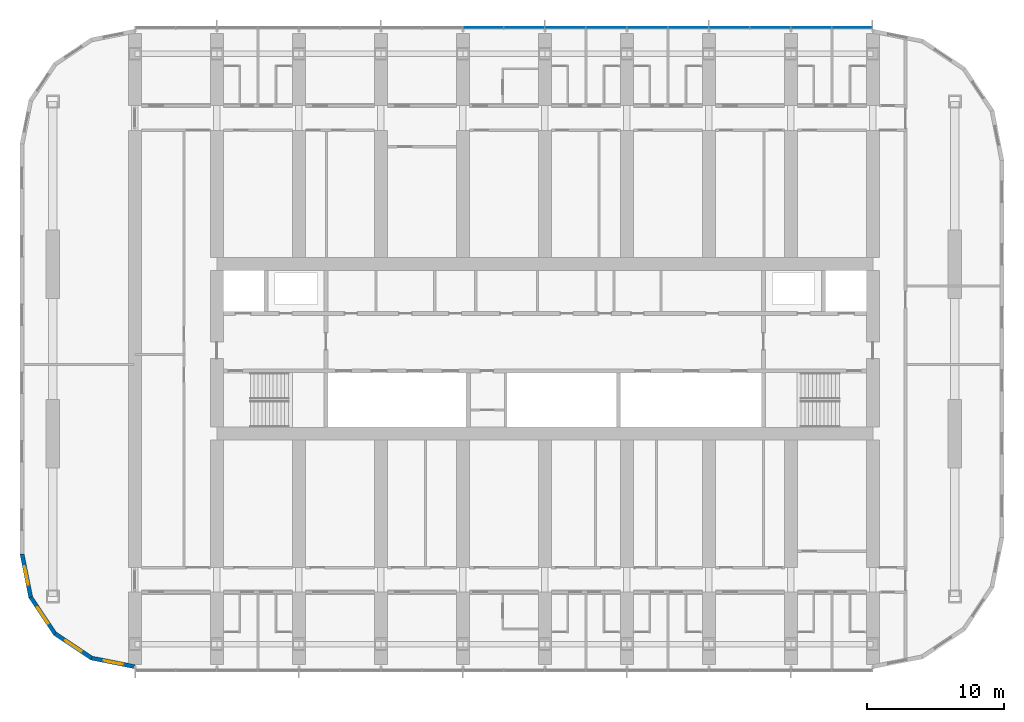
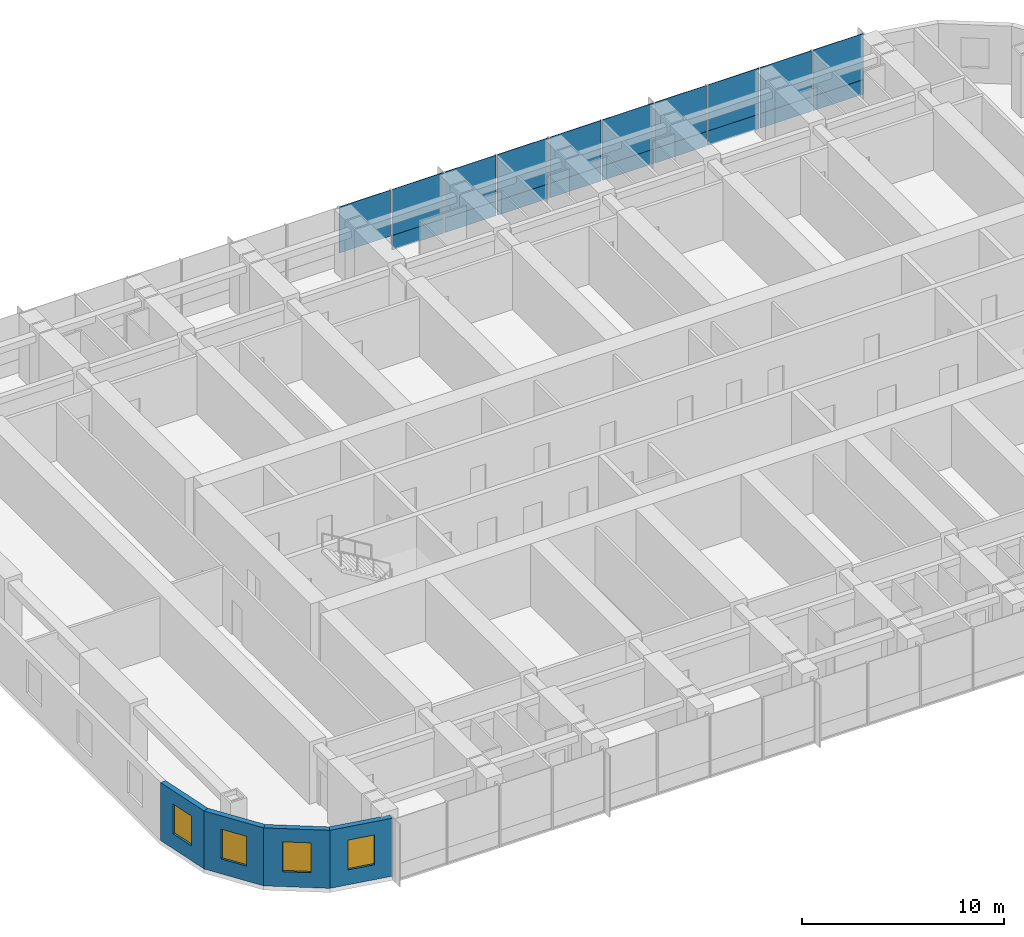
# One storey, part 7 of 21: 19 plates, 4 walls, 4 windows, 4 openings, 1 element without a shape of its own.
"""IFC4 building model written with IfcOpenShell, lengths in metres."""

from ifc_helpers import new_model, si_unit, direction, frame, frame_2d, origin, origin_2d, place, context, subcontext, project, spatial, polyline, rectangle, outline, extrude, material, layer, layer_set, type_object, element, fill, aggregate, save


model = new_model("IFC4")

# Units and contexts
model_context = context("Model", 3, precision=1e-05, world=origin(), true_north=direction((0.0, 1.0)))
body_context = subcontext(model_context, "Body", "Model", "MODEL_VIEW")
ifc_project = project(units=[si_unit("LENGTHUNIT", "METRE"), si_unit("AREAUNIT", "SQUARE_METRE"), si_unit("VOLUMEUNIT", "CUBIC_METRE"), si_unit("PLANEANGLEUNIT", "RADIAN"), si_unit("MASSUNIT", "GRAM", prefix="KILO")], contexts=[model_context])

# Site, building, storey
site_placement = place(None, origin())
site = spatial("IfcSite", under=ifc_project, at=site_placement, CompositionType="ELEMENT")
building_placement = place(site_placement, origin())
building = spatial("IfcBuilding", under=site, at=building_placement, Name="Orbita Commons", CompositionType="ELEMENT")
storey_placement = place(building_placement, frame((0.0, 0.0, 106.89990234375)))
storey = spatial("IfcBuildingStorey", under=building, at=storey_placement, Name="L26", CompositionType="ELEMENT", Elevation=106.89990234375)

# Curtain wall, plates
ifc_material_1 = material(Name="Anodised aluminium frame, pale silver", Category="aluminium")
curtain_wall_type = type_object("IfcCurtainWallType", Name="Unitised curtain wall CW-T, vision and spandrel", PredefinedType="NOTDEFINED", material=ifc_material_1)
curtain_wall_placement = place(storey_placement, origin())
curtain_wall = element("IfcCurtainWall", 1, at=curtain_wall_placement, inside=storey, type_object=curtain_wall_type, Name="Curtain wall north L26", PredefinedType="NOTDEFINED")
ifc_material_2 = material(Name="Anodised aluminium sheet on mineral wool", Category="aluminium")
ifc_layer_1 = layer(ifc_material_2, 0.050048828125)
ifc_layer_set_1 = layer_set([ifc_layer_1], Name="Anodised aluminium sheet on mineral wool")
plate_type_1 = type_object("IfcPlateType", Name="Spandrel panel, pale aluminium over insulation 50", PredefinedType="CURTAIN_PANEL", material=ifc_layer_set_1)
plate_1_placement = place(storey_placement, frame((64.47998046875, 55.510009765625, -0.14990234375), z_axis=(0.0, 0.0, 1.0), x_axis=(-1.0, 0.0, 0.0)))
plate_1 = element("IfcPlate", 2, at=plate_1_placement, type_object=plate_type_1, Name="Panel 1.1 CW-L26-N", PredefinedType="CURTAIN_PANEL", context=body_context, shape_type="SweptSolid", body=[
    extrude(rectangle(XDim=2.8798828125, YDim=0.050048828125, at=origin_2d()), origin(), (0.0, 0.0, 1.0), 0.875),
])
plate_2_placement = place(storey_placement, frame((61.5, 55.510009765625, -0.14990234375), z_axis=(0.0, 0.0, 1.0), x_axis=(-1.0, 0.0, 0.0)))
plate_2 = element("IfcPlate", 3, at=plate_2_placement, type_object=plate_type_1, Name="Panel 2.1 CW-L26-N", PredefinedType="CURTAIN_PANEL", context=body_context, shape_type="SweptSolid", body=[
    extrude(rectangle(XDim=2.919921875, YDim=0.050048828125, at=origin_2d()), origin(), (0.0, 0.0, 1.0), 0.875),
])
plate_3_placement = place(storey_placement, frame((58.5, 55.510009765625, -0.14990234375), z_axis=(0.0, 0.0, 1.0), x_axis=(-1.0, 0.0, 0.0)))
plate_3 = element("IfcPlate", 4, at=plate_3_placement, type_object=plate_type_1, Name="Panel 3.1 CW-L26-N", PredefinedType="CURTAIN_PANEL", context=body_context, shape_type="SweptSolid", body=[
    extrude(rectangle(XDim=2.919921875, YDim=0.050048828125, at=origin_2d()), origin(), (0.0, 0.0, 1.0), 0.875),
])
plate_4_placement = place(storey_placement, frame((55.5, 55.510009765625, -0.14990234375), z_axis=(0.0, 0.0, 1.0), x_axis=(-1.0, 0.0, 0.0)))
plate_4 = element("IfcPlate", 5, at=plate_4_placement, type_object=plate_type_1, Name="Panel 4.1 CW-L26-N", PredefinedType="CURTAIN_PANEL", context=body_context, shape_type="SweptSolid", body=[
    extrude(rectangle(XDim=2.919921875, YDim=0.050048828125, at=origin_2d()), origin(), (0.0, 0.0, 1.0), 0.875),
])
plate_5_placement = place(storey_placement, frame((52.5, 55.510009765625, -0.14990234375), z_axis=(0.0, 0.0, 1.0), x_axis=(-1.0, 0.0, 0.0)))
plate_5 = element("IfcPlate", 6, at=plate_5_placement, type_object=plate_type_1, Name="Panel 5.1 CW-L26-N", PredefinedType="CURTAIN_PANEL", context=body_context, shape_type="SweptSolid", body=[
    extrude(rectangle(XDim=2.919921875, YDim=0.050048828125, at=origin_2d()), origin(), (0.0, 0.0, 1.0), 0.875),
])
plate_6_placement = place(storey_placement, frame((49.5, 55.510009765625, -0.14990234375), z_axis=(0.0, 0.0, 1.0), x_axis=(-1.0, 0.0, 0.0)))
plate_6 = element("IfcPlate", 7, at=plate_6_placement, type_object=plate_type_1, Name="Panel 6.1 CW-L26-N", PredefinedType="CURTAIN_PANEL", context=body_context, shape_type="SweptSolid", body=[
    extrude(rectangle(XDim=2.919921875, YDim=0.050048828125, at=origin_2d()), origin(), (0.0, 0.0, 1.0), 0.875),
])
plate_7_placement = place(storey_placement, frame((46.5, 55.510009765625, -0.14990234375), z_axis=(0.0, 0.0, 1.0), x_axis=(-1.0, 0.0, 0.0)))
plate_7 = element("IfcPlate", 8, at=plate_7_placement, type_object=plate_type_1, Name="Panel 7.1 CW-L26-N", PredefinedType="CURTAIN_PANEL", context=body_context, shape_type="SweptSolid", body=[
    extrude(rectangle(XDim=2.919921875, YDim=0.050048828125, at=origin_2d()), origin(), (0.0, 0.0, 1.0), 0.875),
])
plate_8_placement = place(storey_placement, frame((43.5, 55.510009765625, -0.14990234375), z_axis=(0.0, 0.0, 1.0), x_axis=(-1.0, 0.0, 0.0)))
plate_8 = element("IfcPlate", 9, at=plate_8_placement, type_object=plate_type_1, Name="Panel 8.1 CW-L26-N", PredefinedType="CURTAIN_PANEL", context=body_context, shape_type="SweptSolid", body=[
    extrude(rectangle(XDim=2.919921875, YDim=0.050048828125, at=origin_2d()), origin(), (0.0, 0.0, 1.0), 0.875),
])
plate_9_placement = place(storey_placement, frame((40.5, 55.510009765625, -0.14990234375), z_axis=(0.0, 0.0, 1.0), x_axis=(-1.0, 0.0, 0.0)))
plate_9 = element("IfcPlate", 10, at=plate_9_placement, type_object=plate_type_1, Name="Panel 9.1 CW-L26-N", PredefinedType="CURTAIN_PANEL", context=body_context, shape_type="SweptSolid", body=[
    extrude(rectangle(XDim=2.919921875, YDim=0.050048828125, at=origin_2d()), origin(), (0.0, 0.0, 1.0), 0.875),
])
ifc_material_3 = material(Name="Clear double glazing", Category="glass")
ifc_layer_2 = layer(ifc_material_3, 0.031982421875)
ifc_layer_set_2 = layer_set([ifc_layer_2], Name="Clear double glazing")
plate_type_2 = type_object("IfcPlateType", Name="Vision panel, clear double glazing 32", PredefinedType="CURTAIN_PANEL", material=ifc_layer_set_2)
plate_10_placement = place(storey_placement, frame((64.47998046875, 55.510009765625, 0.72509765625), z_axis=(0.0, 0.0, 1.0), x_axis=(-1.0, 0.0, 0.0)))
plate_10 = element("IfcPlate", 11, at=plate_10_placement, type_object=plate_type_2, Name="Panel 1.2 CW-L26-N", PredefinedType="CURTAIN_PANEL", context=body_context, shape_type="SweptSolid", body=[
    extrude(rectangle(XDim=2.8798828125, YDim=0.031982421875, at=origin_2d()), origin(), (0.0, 0.0, 1.0), 2.77490234375),
])
plate_11_placement = place(storey_placement, frame((61.5, 55.510009765625, 0.72509765625), z_axis=(0.0, 0.0, 1.0), x_axis=(-1.0, 0.0, 0.0)))
plate_11 = element("IfcPlate", 12, at=plate_11_placement, type_object=plate_type_2, Name="Panel 2.2 CW-L26-N", PredefinedType="CURTAIN_PANEL", context=body_context, shape_type="SweptSolid", body=[
    extrude(rectangle(XDim=2.919921875, YDim=0.031982421875, at=origin_2d()), origin(), (0.0, 0.0, 1.0), 2.77490234375),
])
plate_12_placement = place(storey_placement, frame((58.5, 55.510009765625, 0.72509765625), z_axis=(0.0, 0.0, 1.0), x_axis=(-1.0, 0.0, 0.0)))
plate_12 = element("IfcPlate", 13, at=plate_12_placement, type_object=plate_type_2, Name="Panel 3.2 CW-L26-N", PredefinedType="CURTAIN_PANEL", context=body_context, shape_type="SweptSolid", body=[
    extrude(rectangle(XDim=2.919921875, YDim=0.031982421875, at=origin_2d()), origin(), (0.0, 0.0, 1.0), 2.77490234375),
])
plate_13_placement = place(storey_placement, frame((55.5, 55.510009765625, 0.72509765625), z_axis=(0.0, 0.0, 1.0), x_axis=(-1.0, 0.0, 0.0)))
plate_13 = element("IfcPlate", 14, at=plate_13_placement, type_object=plate_type_2, Name="Panel 4.2 CW-L26-N", PredefinedType="CURTAIN_PANEL", context=body_context, shape_type="SweptSolid", body=[
    extrude(rectangle(XDim=2.919921875, YDim=0.031982421875, at=origin_2d()), origin(), (0.0, 0.0, 1.0), 2.77490234375),
])
plate_14_placement = place(storey_placement, frame((52.5, 55.510009765625, 0.72509765625), z_axis=(0.0, 0.0, 1.0), x_axis=(-1.0, 0.0, 0.0)))
plate_14 = element("IfcPlate", 15, at=plate_14_placement, type_object=plate_type_2, Name="Panel 5.2 CW-L26-N", PredefinedType="CURTAIN_PANEL", context=body_context, shape_type="SweptSolid", body=[
    extrude(rectangle(XDim=2.919921875, YDim=0.031982421875, at=origin_2d()), origin(), (0.0, 0.0, 1.0), 2.77490234375),
])
plate_15_placement = place(storey_placement, frame((49.5, 55.510009765625, 0.72509765625), z_axis=(0.0, 0.0, 1.0), x_axis=(-1.0, 0.0, 0.0)))
plate_15 = element("IfcPlate", 16, at=plate_15_placement, type_object=plate_type_2, Name="Panel 6.2 CW-L26-N", PredefinedType="CURTAIN_PANEL", context=body_context, shape_type="SweptSolid", body=[
    extrude(rectangle(XDim=2.919921875, YDim=0.031982421875, at=origin_2d()), origin(), (0.0, 0.0, 1.0), 2.77490234375),
])
plate_16_placement = place(storey_placement, frame((46.5, 55.510009765625, 0.72509765625), z_axis=(0.0, 0.0, 1.0), x_axis=(-1.0, 0.0, 0.0)))
plate_16 = element("IfcPlate", 17, at=plate_16_placement, type_object=plate_type_2, Name="Panel 7.2 CW-L26-N", PredefinedType="CURTAIN_PANEL", context=body_context, shape_type="SweptSolid", body=[
    extrude(rectangle(XDim=2.919921875, YDim=0.031982421875, at=origin_2d()), origin(), (0.0, 0.0, 1.0), 2.77490234375),
])
plate_17_placement = place(storey_placement, frame((43.5, 55.510009765625, 0.72509765625), z_axis=(0.0, 0.0, 1.0), x_axis=(-1.0, 0.0, 0.0)))
plate_17 = element("IfcPlate", 18, at=plate_17_placement, type_object=plate_type_2, Name="Panel 8.2 CW-L26-N", PredefinedType="CURTAIN_PANEL", context=body_context, shape_type="SweptSolid", body=[
    extrude(rectangle(XDim=2.919921875, YDim=0.031982421875, at=origin_2d()), origin(), (0.0, 0.0, 1.0), 2.77490234375),
])
plate_18_placement = place(storey_placement, frame((40.5, 55.510009765625, 0.72509765625), z_axis=(0.0, 0.0, 1.0), x_axis=(-1.0, 0.0, 0.0)))
plate_18 = element("IfcPlate", 19, at=plate_18_placement, type_object=plate_type_2, Name="Panel 9.2 CW-L26-N", PredefinedType="CURTAIN_PANEL", context=body_context, shape_type="SweptSolid", body=[
    extrude(rectangle(XDim=2.919921875, YDim=0.031982421875, at=origin_2d()), origin(), (0.0, 0.0, 1.0), 2.77490234375),
])
plate_19_placement = place(storey_placement, frame((37.5, 55.510009765625, 0.72509765625), z_axis=(0.0, 0.0, 1.0), x_axis=(-1.0, 0.0, 0.0)))
plate_19 = element("IfcPlate", 20, at=plate_19_placement, type_object=plate_type_2, Name="Panel 10.2 CW-L26-N", PredefinedType="CURTAIN_PANEL", context=body_context, shape_type="SweptSolid", body=[
    extrude(rectangle(XDim=2.919921875, YDim=0.031982421875, at=origin_2d()), origin(), (0.0, 0.0, 1.0), 2.77490234375),
])
aggregate(curtain_wall, [plate_1, plate_10, plate_2, plate_11, plate_3, plate_12, plate_4, plate_13, plate_5, plate_14, plate_6, plate_15, plate_7, plate_16, plate_8, plate_17, plate_9, plate_18, plate_19])

# Wall, opening, window
ifc_material_4 = material(Name="Precast concrete C40/50, white board-marked finish", Category="concrete")
ifc_layer_3 = layer(ifc_material_4, 0.300048828125)
ifc_layer_set_3 = layer_set([ifc_layer_3], Name="Precast concrete C40/50, white board-marked finish")
wall_type = type_object("IfcWallType", Name="Precast concrete end shield 300", PredefinedType="SOLIDWALL", material=ifc_layer_set_3)
wall_1_placement = place(storey_placement, frame((3.75, 17.0, 0.0), z_axis=(0.0, 0.0, 1.0), x_axis=(0.195080412259, -0.980787251524, 0.0)))
wall_1 = element("IfcWall", 21, at=wall_1_placement, inside=storey, type_object=wall_type, Name="End shield SW chord 1 L26", PredefinedType="SOLIDWALL", context=body_context, shape_type="SweptSolid", body=[
    extrude(outline(polyline([(-0.014892578125, -0.14990234375), (3.24853515625, -0.14990234375), (3.18896484375, 0.14990234375), (0.014892578125, 0.14990234375), (-0.014892578125, -0.14990234375)])), origin(), (0.0, 0.0, 1.0), 3.5),
])
opening_1_placement = place(wall_1_placement, frame((0.909423828125, 0.0, 0.89990234375)))
opening_1 = element("IfcOpeningElement", 22, at=opening_1_placement, cuts=wall_1, Name="Opening W02", PredefinedType="OPENING", context=body_context, shape_type="SweptSolid", body=[
    extrude(rectangle(XDim=1.39990234375, YDim=1.800048828125, at=frame_2d((0.699951171875, 0.89990234375))), frame((0.0, 0.159912109375, 0.0), z_axis=(0.0, -1.0, 0.0), x_axis=(1.0, 0.0, 0.0)), (0.0, 0.0, 1.0), 0.320068359375),
])
ifc_material_5 = material(Name="Aluminium frame, clear double glazing", Category="aluminium")
window_type = type_object("IfcWindowType", Name="Deep-set window 1400x1800", PartitioningType="SINGLE_PANEL", PredefinedType="WINDOW", material=ifc_material_5)
window_1_placement = place(opening_1_placement, origin())
window_1 = element("IfcWindow", 23, at=window_1_placement, inside=storey, type_object=window_type, Name="Window L26-SW0", OverallHeight=1.800048828125, OverallWidth=1.39990234375, PartitioningType="SINGLE_PANEL", PredefinedType="WINDOW", context=body_context, shape_type="SweptSolid", body=[
    extrude(rectangle(XDim=1.39990234375, YDim=1.800048828125, at=frame_2d((0.699951171875, 0.89990234375))), frame((0.0, 0.030029296875, 0.0), z_axis=(0.0, -1.0, 0.0), x_axis=(1.0, 0.0, 0.0)), (0.0, 0.0, 1.0), 0.06005859375),
])
fill(opening_1, window_1)

wall_2_placement = place(storey_placement, frame((4.3779296875, 13.843017578125, 0.0), z_axis=(0.0, 0.0, 1.0), x_axis=(0.555609954424, -0.831443069936, 0.0)))
wall_2 = element("IfcWall", 24, at=wall_2_placement, inside=storey, type_object=wall_type, Name="End shield SW chord 2 L26", PredefinedType="SOLIDWALL", context=body_context, shape_type="SweptSolid", body=[
    extrude(outline(polyline([(-0.02978515625, -0.14990234375), (3.2490234375, -0.14990234375), (3.189453125, 0.14990234375), (0.02978515625, 0.14990234375), (-0.02978515625, -0.14990234375)])), origin(), (0.0, 0.0, 1.0), 3.5),
])
opening_2_placement = place(wall_2_placement, frame((0.909423828125, 0.0, 0.89990234375)))
opening_2 = element("IfcOpeningElement", 25, at=opening_2_placement, cuts=wall_2, Name="Opening W02", PredefinedType="OPENING", context=body_context, shape_type="SweptSolid", body=[
    extrude(rectangle(XDim=1.39990234375, YDim=1.800048828125, at=frame_2d((0.699951171875, 0.89990234375))), frame((0.0, 0.159912109375, 0.0), z_axis=(0.0, -1.0, 0.0), x_axis=(1.0, 0.0, 0.0)), (0.0, 0.0, 1.0), 0.320068359375),
])
window_2_placement = place(opening_2_placement, origin())
window_2 = element("IfcWindow", 26, at=window_2_placement, inside=storey, type_object=window_type, Name="Window L26-SW1", OverallHeight=1.800048828125, OverallWidth=1.39990234375, PartitioningType="SINGLE_PANEL", PredefinedType="WINDOW", context=body_context, shape_type="SweptSolid", body=[
    extrude(rectangle(XDim=1.39990234375, YDim=1.800048828125, at=frame_2d((0.699951171875, 0.89990234375))), frame((0.0, 0.030029296875, 0.0), z_axis=(0.0, -1.0, 0.0), x_axis=(1.0, 0.0, 0.0)), (0.0, 0.0, 1.0), 0.06005859375),
])
fill(opening_2, window_2)

wall_3_placement = place(storey_placement, frame((6.16650390625, 11.16650390625, 0.0), z_axis=(0.0, 0.0, 1.0), x_axis=(0.831443069936, -0.555609954424, 0.0)))
wall_3 = element("IfcWall", 27, at=wall_3_placement, inside=storey, type_object=wall_type, Name="End shield SW chord 3 L26", PredefinedType="SOLIDWALL", context=body_context, shape_type="SweptSolid", body=[
    extrude(outline(polyline([(-0.02978515625, -0.14990234375), (3.2490234375, -0.14990234375), (3.189453125, 0.14990234375), (0.02978515625, 0.14990234375), (-0.02978515625, -0.14990234375)])), origin(), (0.0, 0.0, 1.0), 3.5),
])
opening_3_placement = place(wall_3_placement, frame((0.909423828125, 0.0, 0.89990234375)))
opening_3 = element("IfcOpeningElement", 28, at=opening_3_placement, cuts=wall_3, Name="Opening W02", PredefinedType="OPENING", context=body_context, shape_type="SweptSolid", body=[
    extrude(rectangle(XDim=1.39990234375, YDim=1.800048828125, at=frame_2d((0.699951171875, 0.89990234375))), frame((0.0, 0.159912109375, 0.0), z_axis=(0.0, -1.0, 0.0), x_axis=(1.0, 0.0, 0.0)), (0.0, 0.0, 1.0), 0.320068359375),
])
window_3_placement = place(opening_3_placement, origin())
window_3 = element("IfcWindow", 29, at=window_3_placement, inside=storey, type_object=window_type, Name="Window L26-SW2", OverallHeight=1.800048828125, OverallWidth=1.39990234375, PartitioningType="SINGLE_PANEL", PredefinedType="WINDOW", context=body_context, shape_type="SweptSolid", body=[
    extrude(rectangle(XDim=1.39990234375, YDim=1.800048828125, at=frame_2d((0.699951171875, 0.89990234375))), frame((0.0, 0.030029296875, 0.0), z_axis=(0.0, -1.0, 0.0), x_axis=(1.0, 0.0, 0.0)), (0.0, 0.0, 1.0), 0.06005859375),
])
fill(opening_3, window_3)

wall_4_placement = place(storey_placement, frame((8.843017578125, 9.3779296875, 0.0), z_axis=(0.0, 0.0, 1.0), x_axis=(0.980787251524, -0.195080412259, 0.0)))
wall_4 = element("IfcWall", 30, at=wall_4_placement, inside=storey, type_object=wall_type, Name="End shield SW chord 4 L26", PredefinedType="SOLIDWALL", context=body_context, shape_type="SweptSolid", body=[
    extrude(outline(polyline([(-0.02978515625, -0.14990234375), (3.24853515625, -0.14990234375), (3.18896484375, 0.14990234375), (0.02978515625, 0.14990234375), (-0.02978515625, -0.14990234375)])), origin(), (0.0, 0.0, 1.0), 3.5),
])
opening_4_placement = place(wall_4_placement, frame((0.909423828125, 0.0, 0.89990234375)))
opening_4 = element("IfcOpeningElement", 31, at=opening_4_placement, cuts=wall_4, Name="Opening W02", PredefinedType="OPENING", context=body_context, shape_type="SweptSolid", body=[
    extrude(rectangle(XDim=1.39990234375, YDim=1.800048828125, at=frame_2d((0.699951171875, 0.89990234375))), frame((0.0, 0.159912109375, 0.0), z_axis=(0.0, -1.0, 0.0), x_axis=(1.0, 0.0, 0.0)), (0.0, 0.0, 1.0), 0.320068359375),
])
window_4_placement = place(opening_4_placement, origin())
window_4 = element("IfcWindow", 32, at=window_4_placement, inside=storey, type_object=window_type, Name="Window L26-SW3", OverallHeight=1.800048828125, OverallWidth=1.39990234375, PartitioningType="SINGLE_PANEL", PredefinedType="WINDOW", context=body_context, shape_type="SweptSolid", body=[
    extrude(rectangle(XDim=1.39990234375, YDim=1.800048828125, at=frame_2d((0.699951171875, 0.89990234375))), frame((0.0, 0.030029296875, 0.0), z_axis=(0.0, -1.0, 0.0), x_axis=(1.0, 0.0, 0.0)), (0.0, 0.0, 1.0), 0.06005859375),
])
fill(opening_4, window_4)

save(model, "model.ifc")
